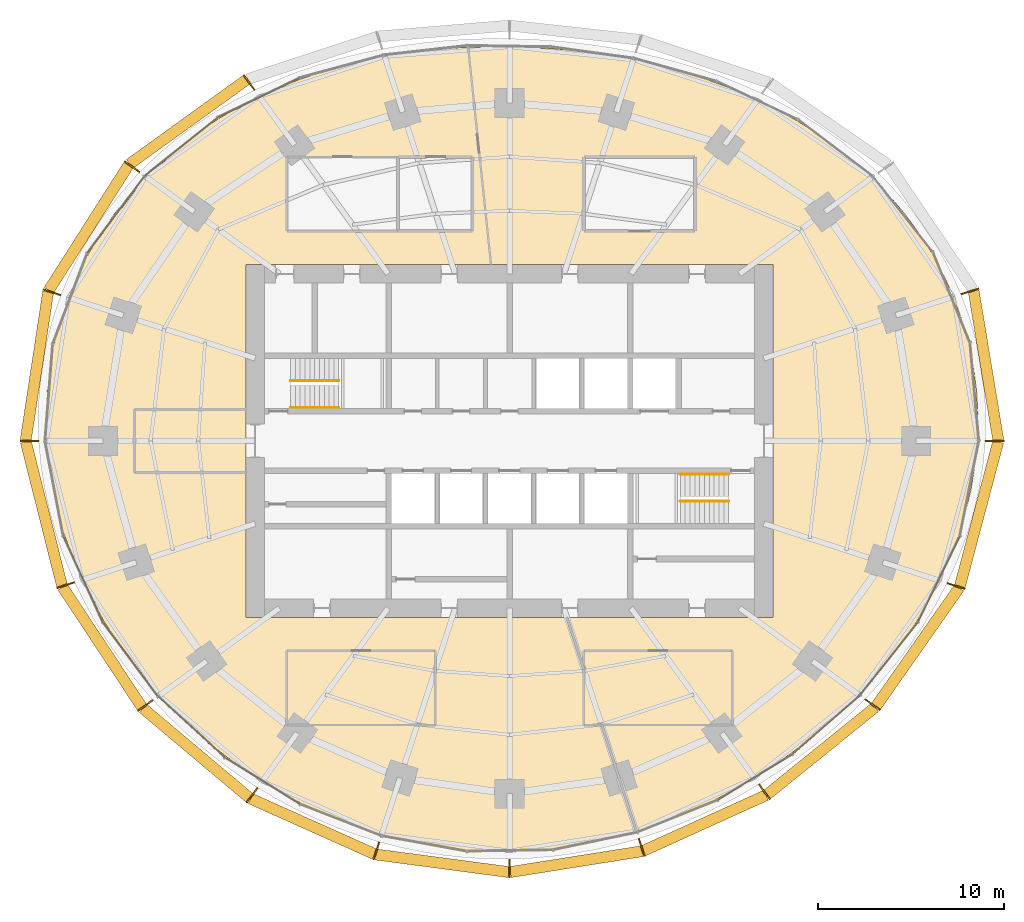
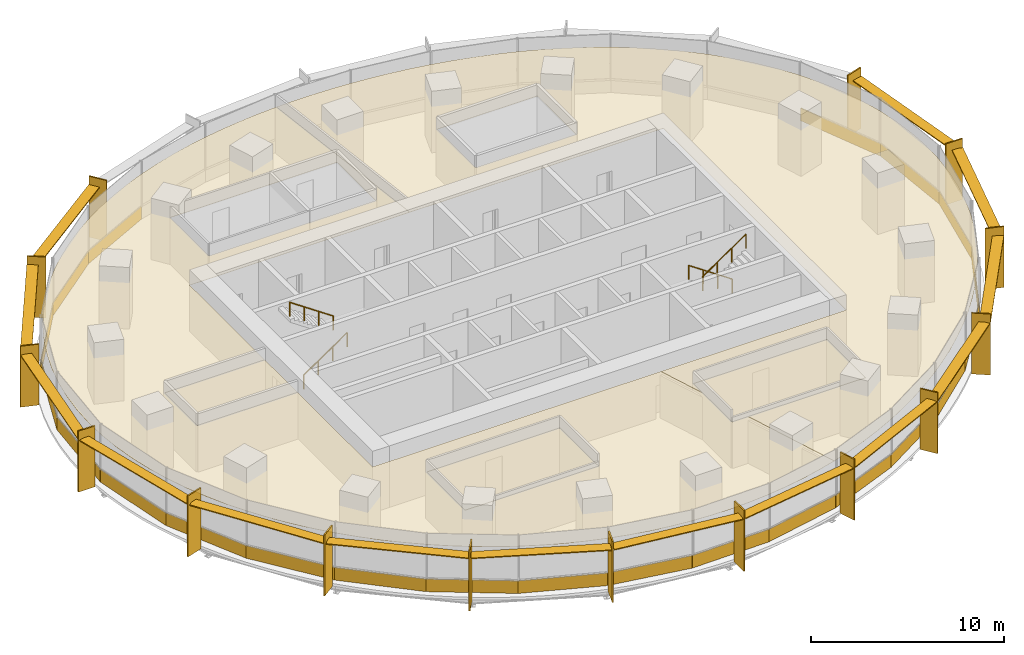
# One storey, part 13 of 14: 29 shading devices, 27 coverings, 4 railings.
"""IFC4 building model written with IfcOpenShell, lengths in metres."""

from ifc_helpers import new_model, si_unit, direction, frame, origin, origin_2d, place, context, subcontext, project, spatial, polyline, rectangle, circle, outline, extrude, material, layer, layer_set, type_object, element, save


model = new_model("IFC4")

# Units and contexts
model_context = context("Model", 3, precision=1e-05, world=origin(), true_north=direction((0.0, 1.0)))
body_context = subcontext(model_context, "Body", "Model", "MODEL_VIEW")
ifc_project = project(units=[si_unit("LENGTHUNIT", "METRE"), si_unit("AREAUNIT", "SQUARE_METRE"), si_unit("VOLUMEUNIT", "CUBIC_METRE"), si_unit("PLANEANGLEUNIT", "RADIAN"), si_unit("MASSUNIT", "GRAM", prefix="KILO")], contexts=[model_context])

# Site, building, storey
site_placement = place(None, origin())
site = spatial("IfcSite", under=ifc_project, at=site_placement, CompositionType="ELEMENT")
building_placement = place(site_placement, origin())
building = spatial("IfcBuilding", under=site, at=building_placement, Name="Marramba Exchange Tower", CompositionType="ELEMENT")
storey_placement = place(building_placement, frame((0.0, 0.0, 162.60009765625)))
storey = spatial("IfcBuildingStorey", under=building, at=storey_placement, Name="L39", CompositionType="ELEMENT", Elevation=162.60009765625)

# Shading devices
ifc_material_1 = material(Name="Aluminium blade, timber-look bronze finish", Category="wood")
ifc_layer_1 = layer(ifc_material_1, 0.080078125)
ifc_layer_set_1 = layer_set([ifc_layer_1], Name="Floor-edge blade 1000x80")
shading_device_type_1 = type_object("IfcShadingDeviceType", Name="Floor-edge blade 1000x80", PredefinedType="USERDEFINED", material=ifc_layer_set_1)
for number, where, z_axis, x_axis, name in (
    (1, (26.132080078125, 0.0, -0.16015625), (0.0, 0.0, 1.0), (1.0, 0.0, 0.0), "Floor-edge blade FB1 L39 TC01"),
    (2, (24.798583984375, 8.0576171875, -0.16015625), (0.0, 0.0, 1.0), (0.951056516295, 0.309016994375, 0.0), "Floor-edge blade FB1 L39 TC02"),
    (3, (-14.029296875, 19.3095703125, -0.16015625), (0.0, 0.0, 1.0), (-0.587785252292, 0.809016994375, 0.0), "Floor-edge blade FB1 L39 TC08"),
    (4, (-20.33642578125, 14.775390625, -0.16015625), (0.0, 0.0, 1.0), (-0.809016994375, 0.587785252292, 0.0), "Floor-edge blade FB1 L39 TC09"),
    (5, (-24.653076171875, 8.01025390625, -0.16015625), (0.0, 0.0, 1.0), (-0.951056516295, 0.309016994375, 0.0), "Floor-edge blade FB1 L39 TC10"),
    (6, (-25.867919921875, 0.0, -0.16015625), (0.0, 0.0, 1.0), (-1.0, 0.0, 0.0), "Floor-edge blade FB1 L39 TC11"),
    (7, (-23.90673828125, -7.767822265625, -0.16015625), (0.0, 0.0, 1.0), (-0.951056516295, -0.309016994375, 0.0), "Floor-edge blade FB1 L39 TC12"),
    (8, (-19.618408203125, -14.253662109375, -0.16015625), (0.0, 0.0, 1.0), (-0.809016994375, -0.587785252292, 0.0), "Floor-edge blade FB1 L39 TC13"),
    (9, (-13.866943359375, -19.08642578125, -0.16015625), (0.0, 0.0, 1.0), (-0.587785252292, -0.809016994375, 0.0), "Floor-edge blade FB1 L39 TC14"),
    (10, (-7.173828125, -22.078857421875, -0.16015625), (0.0, 0.0, 1.0), (-0.309016994375, -0.951056516295, 0.0), "Floor-edge blade FB1 L39 TC15"),
    (11, (0.0, -23.02685546875, -0.16015625), (0.0, 0.0, 1.0), (0.0, -1.0, 0.0), "Floor-edge blade FB1 L39 TC16"),
    (12, (7.115966796875, -21.900634765625, -0.16015625), (0.0, 0.0, 1.0), (0.309016994375, -0.951056516295, 0.0), "Floor-edge blade FB1 L39 TC17"),
    (13, (13.733154296875, -18.902099609375, -0.16015625), (0.0, 0.0, 1.0), (0.587785252292, -0.809016994375, 0.0), "Floor-edge blade FB1 L39 TC18"),
    (14, (19.555908203125, -14.208251953125, -0.16015625), (0.0, 0.0, 1.0), (0.809016994375, -0.587785252292, 0.0), "Floor-edge blade FB1 L39 TC19"),
    (15, (24.052001953125, -7.81494140625, -0.16015625), (0.0, 0.0, 1.0), (0.951056516295, -0.309016994375, 0.0), "Floor-edge blade FB1 L39 TC20"),
):
    element("IfcShadingDevice", number, at=place(storey_placement, frame(where, z_axis=z_axis, x_axis=x_axis)), inside=storey, type_object=shading_device_type_1, Name=name, ObjectType="FIN", PredefinedType="USERDEFINED", context=body_context, shape_type="SweptSolid", body=[
        extrude(rectangle(XDim=1.0, YDim=0.080078125, at=origin_2d()), origin(), (0.0, 0.0, 1.0), 3.860107421875),
    ])
ifc_material_2 = material(Name="Aluminium sunshade, bronze anodised", Category="aluminium")
ifc_layer_2 = layer(ifc_material_2, 0.06005859375)
ifc_layer_set_2 = layer_set([ifc_layer_2], Name="SUNSHADE blade 600x60")
shading_device_type_2 = type_object("IfcShadingDeviceType", Name="SUNSHADE blade 600x60", PredefinedType="USERDEFINED", material=ifc_layer_set_2)
shading_device_1_placement = place(storey_placement, frame((25.660400390625, 4.0595703125, 3.119873046875), z_axis=(0.0, 0.0, 1.0), x_axis=(-0.163227675764, 0.986588427798, 0.0)))
element("IfcShadingDevice", 16, at=shading_device_1_placement, inside=storey, type_object=shading_device_type_2, Name="Sunshade SS1 L39 bay 01", ObjectType="SUNSHADE", PredefinedType="USERDEFINED", context=body_context, shape_type="SweptSolid", body=[
    extrude(rectangle(XDim=8.149658203125, YDim=0.60009765625, at=origin_2d()), origin(), (0.0, 0.0, 1.0), 0.06005859375),
])
shading_device_2_placement = place(storey_placement, frame((-17.322509765625, 17.18212890625, 3.119873046875), z_axis=(0.0, 0.0, 1.0), x_axis=(-0.811199164202, -0.584769968448, 0.0)))
element("IfcShadingDevice", 17, at=shading_device_2_placement, inside=storey, type_object=shading_device_type_2, Name="Sunshade SS1 L39 bay 08", ObjectType="SUNSHADE", PredefinedType="USERDEFINED", context=body_context, shape_type="SweptSolid", body=[
    extrude(rectangle(XDim=7.749755859375, YDim=0.60009765625, at=origin_2d()), origin(), (0.0, 0.0, 1.0), 0.06005859375),
])
shading_device_3_placement = place(storey_placement, frame((-22.6708984375, 11.482421875, 3.119873046875), z_axis=(0.0, 0.0, 1.0), x_axis=(-0.537284770546, -0.843400898351, 0.0)))
element("IfcShadingDevice", 18, at=shading_device_3_placement, inside=storey, type_object=shading_device_type_2, Name="Sunshade SS1 L39 bay 09", ObjectType="SUNSHADE", PredefinedType="USERDEFINED", context=body_context, shape_type="SweptSolid", body=[
    extrude(rectangle(XDim=8.007080078125, YDim=0.60009765625, at=origin_2d()), origin(), (0.0, 0.0, 1.0), 0.06005859375),
])
shading_device_4_placement = place(storey_placement, frame((-25.455810546875, 4.0361328125, 3.119873046875), z_axis=(0.0, 0.0, 1.0), x_axis=(-0.14999307077, -0.988687047918, 0.0)))
element("IfcShadingDevice", 19, at=shading_device_4_placement, inside=storey, type_object=shading_device_type_2, Name="Sunshade SS1 L39 bay 10", ObjectType="SUNSHADE", PredefinedType="USERDEFINED", context=body_context, shape_type="SweptSolid", body=[
    extrude(rectangle(XDim=8.08447265625, YDim=0.60009765625, at=origin_2d()), origin(), (0.0, 0.0, 1.0), 0.06005859375),
])
shading_device_5_placement = place(storey_placement, frame((-25.08251953125, -3.914794921875, 3.119873046875), z_axis=(0.0, 0.0, 1.0), x_axis=(0.244116522902, -0.969745906537, 0.0)))
element("IfcShadingDevice", 20, at=shading_device_5_placement, inside=storey, type_object=shading_device_type_2, Name="Sunshade SS1 L39 bay 11", ObjectType="SUNSHADE", PredefinedType="USERDEFINED", context=body_context, shape_type="SweptSolid", body=[
    extrude(rectangle(XDim=7.993896484375, YDim=0.60009765625, at=origin_2d()), origin(), (0.0, 0.0, 1.0), 0.06005859375),
])
shading_device_6_placement = place(storey_placement, frame((-21.938720703125, -11.100341796875, 3.119873046875), z_axis=(0.0, 0.0, 1.0), x_axis=(0.550792342935, -0.834642315585, 0.0)))
element("IfcShadingDevice", 21, at=shading_device_6_placement, inside=storey, type_object=shading_device_type_2, Name="Sunshade SS1 L39 bay 12", ObjectType="SUNSHADE", PredefinedType="USERDEFINED", context=body_context, shape_type="SweptSolid", body=[
    extrude(rectangle(XDim=7.757568359375, YDim=0.60009765625, at=origin_2d()), origin(), (0.0, 0.0, 1.0), 0.06005859375),
])
shading_device_7_placement = place(storey_placement, frame((-16.88232421875, -16.8095703125, 3.119873046875), z_axis=(0.0, 0.0, 1.0), x_axis=(0.76513863304, -0.643865569998, 0.0)))
element("IfcShadingDevice", 22, at=shading_device_7_placement, inside=storey, type_object=shading_device_type_2, Name="Sunshade SS1 L39 bay 13", ObjectType="SUNSHADE", PredefinedType="USERDEFINED", context=body_context, shape_type="SweptSolid", body=[
    extrude(rectangle(XDim=7.49462890625, YDim=0.60009765625, at=origin_2d()), origin(), (0.0, 0.0, 1.0), 0.06005859375),
])
shading_device_8_placement = place(storey_placement, frame((-10.610107421875, -20.758544921875, 3.119873046875), z_axis=(0.0, 0.0, 1.0), x_axis=(0.912735880581, -0.408550134377, 0.0)))
element("IfcShadingDevice", 23, at=shading_device_8_placement, inside=storey, type_object=shading_device_type_2, Name="Sunshade SS1 L39 bay 14", ObjectType="SUNSHADE", PredefinedType="USERDEFINED", context=body_context, shape_type="SweptSolid", body=[
    extrude(rectangle(XDim=7.314208984375, YDim=0.60009765625, at=origin_2d()), origin(), (0.0, 0.0, 1.0), 0.06005859375),
])
shading_device_9_placement = place(storey_placement, frame((-3.617919921875, -22.748046875, 3.119873046875), z_axis=(0.0, 0.0, 1.0), x_axis=(0.991350478855, -0.131241106646, 0.0)))
element("IfcShadingDevice", 24, at=shading_device_9_placement, inside=storey, type_object=shading_device_type_2, Name="Sunshade SS1 L39 bay 15", ObjectType="SUNSHADE", PredefinedType="USERDEFINED", context=body_context, shape_type="SweptSolid", body=[
    extrude(rectangle(XDim=7.21875, YDim=0.60009765625, at=origin_2d()), origin(), (0.0, 0.0, 1.0), 0.06005859375),
])
shading_device_10_placement = place(storey_placement, frame((3.5888671875, -22.658935546875, 3.119873046875), z_axis=(0.0, 0.0, 1.0), x_axis=(0.987704817912, 0.15633039587, 0.0)))
element("IfcShadingDevice", 25, at=shading_device_10_placement, inside=storey, type_object=shading_device_type_2, Name="Sunshade SS1 L39 bay 16", ObjectType="SUNSHADE", PredefinedType="USERDEFINED", context=body_context, shape_type="SweptSolid", body=[
    extrude(rectangle(XDim=7.18701171875, YDim=0.60009765625, at=origin_2d()), origin(), (0.0, 0.0, 1.0), 0.06005859375),
])
shading_device_11_placement = place(storey_placement, frame((10.514404296875, -20.577392578125, 3.119873046875), z_axis=(0.0, 0.0, 1.0), x_axis=(0.910692240548, 0.413085515366, 0.0)))
element("IfcShadingDevice", 26, at=shading_device_11_placement, inside=storey, type_object=shading_device_type_2, Name="Sunshade SS1 L39 bay 17", ObjectType="SUNSHADE", PredefinedType="USERDEFINED", context=body_context, shape_type="SweptSolid", body=[
    extrude(rectangle(XDim=7.24755859375, YDim=0.60009765625, at=origin_2d()), origin(), (0.0, 0.0, 1.0), 0.06005859375),
])
shading_device_12_placement = place(storey_placement, frame((16.7841796875, -16.69482421875, 3.119873046875), z_axis=(0.0, 0.0, 1.0), x_axis=(0.777962439436, 0.628310785223, 0.0)))
element("IfcShadingDevice", 27, at=shading_device_12_placement, inside=storey, type_object=shading_device_type_2, Name="Sunshade SS1 L39 bay 18", ObjectType="SUNSHADE", PredefinedType="USERDEFINED", context=body_context, shape_type="SweptSolid", body=[
    extrude(rectangle(XDim=7.46142578125, YDim=0.60009765625, at=origin_2d()), origin(), (0.0, 0.0, 1.0), 0.06005859375),
])
shading_device_13_placement = place(storey_placement, frame((21.97998046875, -11.101318359375, 3.119873046875), z_axis=(0.0, 0.0, 1.0), x_axis=(0.574350885858, 0.818609222959, 0.0)))
element("IfcShadingDevice", 28, at=shading_device_13_placement, inside=storey, type_object=shading_device_type_2, Name="Sunshade SS1 L39 bay 19", ObjectType="SUNSHADE", PredefinedType="USERDEFINED", context=body_context, shape_type="SweptSolid", body=[
    extrude(rectangle(XDim=7.7978515625, YDim=0.60009765625, at=origin_2d()), origin(), (0.0, 0.0, 1.0), 0.06005859375),
])
shading_device_14_placement = place(storey_placement, frame((25.287109375, -3.9384765625, 3.119873046875), z_axis=(0.0, 0.0, 1.0), x_axis=(0.256422950151, 0.966564674833, 0.0)))
element("IfcShadingDevice", 29, at=shading_device_14_placement, inside=storey, type_object=shading_device_type_2, Name="Sunshade SS1 L39 bay 20", ObjectType="SUNSHADE", PredefinedType="USERDEFINED", context=body_context, shape_type="SweptSolid", body=[
    extrude(rectangle(XDim=8.0693359375, YDim=0.60009765625, at=origin_2d()), origin(), (0.0, 0.0, 1.0), 0.06005859375),
])

# Coverings
ifc_material_3 = material(Name="Aluminium spandrel panel, bronze anodised, insulated", Category="aluminium")
ifc_layer_3 = layer(ifc_material_3, 0.050048828125)
ifc_layer_set_3 = layer_set([ifc_layer_3], Name="Spandrel panel 800")
covering_type_1 = type_object("IfcCoveringType", Name="Spandrel panel 800", PredefinedType="CLADDING", material=ifc_layer_set_3)
covering_1_placement = place(storey_placement, frame((25.04541015625, 2.63671875, 0.0), z_axis=(0.0, 0.0, 1.0), x_axis=(-0.089412890131, 0.995994646109, 0.0)))
element("IfcCovering", 30, at=covering_1_placement, inside=storey, type_object=covering_type_1, Name="Spandrel panel SP1 L39 F01", PredefinedType="CLADDING", context=body_context, shape_type="SweptSolid", body=[
    extrude(rectangle(XDim=5.29443359375, YDim=0.050048828125, at=origin_2d()), origin(), (0.0, 0.0, 1.0), 0.800048828125),
])
covering_2_placement = place(storey_placement, frame((23.81201171875, 7.715576171875, 0.0), z_axis=(0.0, 0.0, 1.0), x_axis=(-0.377821185272, 0.925878583811, 0.0)))
element("IfcCovering", 31, at=covering_2_placement, inside=storey, type_object=covering_type_1, Name="Spandrel panel SP1 L39 F02", PredefinedType="CLADDING", context=body_context, shape_type="SweptSolid", body=[
    extrude(rectangle(XDim=5.27587890625, YDim=0.050048828125, at=origin_2d()), origin(), (0.0, 0.0, 1.0), 0.800048828125),
])
covering_3_placement = place(storey_placement, frame((-13.49609375, 18.498291015625, 0.0), z_axis=(0.0, 0.0, 1.0), x_axis=(-0.900223736484, -0.435427633794, 0.0)))
element("IfcCovering", 32, at=covering_3_placement, inside=storey, type_object=covering_type_1, Name="Spandrel panel SP1 L39 F11", PredefinedType="CLADDING", context=body_context, shape_type="SweptSolid", body=[
    extrude(rectangle(XDim=4.890625, YDim=0.050048828125, at=origin_2d()), origin(), (0.0, 0.0, 1.0), 0.800048828125),
])
covering_4_placement = place(storey_placement, frame((-17.673095703125, 15.854736328125, 0.0), z_axis=(0.0, 0.0, 1.0), x_axis=(-0.781178328369, -0.624307952285, 0.0)))
element("IfcCovering", 33, at=covering_4_placement, inside=storey, type_object=covering_type_1, Name="Spandrel panel SP1 L39 F12", PredefinedType="CLADDING", context=body_context, shape_type="SweptSolid", body=[
    extrude(rectangle(XDim=5.058349609375, YDim=0.050048828125, at=origin_2d()), origin(), (0.0, 0.0, 1.0), 0.800048828125),
])
covering_5_placement = place(storey_placement, frame((-21.19580078125, 12.20068359375, 0.0), z_axis=(0.0, 0.0, 1.0), x_axis=(-0.597703998161, -0.801716864349, 0.0)))
element("IfcCovering", 34, at=covering_5_placement, inside=storey, type_object=covering_type_1, Name="Spandrel panel SP1 L39 F13", PredefinedType="CLADDING", context=body_context, shape_type="SweptSolid", body=[
    extrude(rectangle(XDim=5.17626953125, YDim=0.050048828125, at=origin_2d()), origin(), (0.0, 0.0, 1.0), 0.800048828125),
])
covering_6_placement = place(storey_placement, frame((-23.671875, 7.677490234375, 0.0), z_axis=(0.0, 0.0, 1.0), x_axis=(-0.354844476365, -0.934925343326, 0.0)))
element("IfcCovering", 35, at=covering_6_placement, inside=storey, type_object=covering_type_1, Name="Spandrel panel SP1 L39 F14", PredefinedType="CLADDING", context=body_context, shape_type="SweptSolid", body=[
    extrude(rectangle(XDim=5.2373046875, YDim=0.050048828125, at=origin_2d()), origin(), (0.0, 0.0, 1.0), 0.800048828125),
])
covering_7_placement = place(storey_placement, frame((-24.8095703125, 2.614501953125, 0.0), z_axis=(0.0, 0.0, 1.0), x_axis=(-0.079459700697, -0.996838079111, 0.0)))
element("IfcCovering", 36, at=covering_7_placement, inside=storey, type_object=covering_type_1, Name="Spandrel panel SP1 L39 F15", PredefinedType="CLADDING", context=body_context, shape_type="SweptSolid", body=[
    extrude(rectangle(XDim=5.245849609375, YDim=0.050048828125, at=origin_2d()), origin(), (0.0, 0.0, 1.0), 0.800048828125),
])
covering_8_placement = place(storey_placement, frame((-24.5283203125, -2.5546875, 0.0), z_axis=(0.0, 0.0, 1.0), x_axis=(0.188227222909, -0.982125507538, 0.0)))
element("IfcCovering", 37, at=covering_8_placement, inside=storey, type_object=covering_type_1, Name="Spandrel panel SP1 L39 F16", PredefinedType="CLADDING", context=body_context, shape_type="SweptSolid", body=[
    extrude(rectangle(XDim=5.20263671875, YDim=0.050048828125, at=origin_2d()), origin(), (0.0, 0.0, 1.0), 0.800048828125),
])
covering_9_placement = place(storey_placement, frame((-22.973876953125, -7.43212890625, 0.0), z_axis=(0.0, 0.0, 1.0), x_axis=(0.416737850896, -0.909026712275, 0.0)))
element("IfcCovering", 38, at=covering_9_placement, inside=storey, type_object=covering_type_1, Name="Spandrel panel SP1 L39 F17", PredefinedType="CLADDING", context=body_context, shape_type="SweptSolid", body=[
    extrude(rectangle(XDim=5.10986328125, YDim=0.050048828125, at=origin_2d()), origin(), (0.0, 0.0, 1.0), 0.800048828125),
])
covering_10_placement = place(storey_placement, frame((-20.419921875, -11.75439453125, 0.0), z_axis=(0.0, 0.0, 1.0), x_axis=(0.597304701232, -0.802014397555, 0.0)))
element("IfcCovering", 39, at=covering_10_placement, inside=storey, type_object=covering_type_1, Name="Spandrel panel SP1 L39 F18", PredefinedType="CLADDING", context=body_context, shape_type="SweptSolid", body=[
    extrude(rectangle(XDim=4.986572265625, YDim=0.050048828125, at=origin_2d()), origin(), (0.0, 0.0, 1.0), 0.800048828125),
])
covering_11_placement = place(storey_placement, frame((-17.135986328125, -15.39599609375, 0.0), z_axis=(0.0, 0.0, 1.0), x_axis=(0.737821889246, -0.674995451651, 0.0)))
element("IfcCovering", 40, at=covering_11_placement, inside=storey, type_object=covering_type_1, Name="Spandrel panel SP1 L39 F19", PredefinedType="CLADDING", context=body_context, shape_type="SweptSolid", body=[
    extrude(rectangle(XDim=4.865234375, YDim=0.050048828125, at=origin_2d()), origin(), (0.0, 0.0, 1.0), 0.800048828125),
])
covering_12_placement = place(storey_placement, frame((-13.31787109375, -18.300537109375, 0.0), z_axis=(0.0, 0.0, 1.0), x_axis=(0.848354599309, -0.529428440708, 0.0)))
element("IfcCovering", 41, at=covering_12_placement, inside=storey, type_object=covering_type_1, Name="Spandrel panel SP1 L39 F20", PredefinedType="CLADDING", context=body_context, shape_type="SweptSolid", body=[
    extrude(rectangle(XDim=4.76953125, YDim=0.050048828125, at=origin_2d()), origin(), (0.0, 0.0, 1.0), 0.800048828125),
])
covering_13_placement = place(storey_placement, frame((-9.10302734375, -20.416748046875, 0.0), z_axis=(0.0, 0.0, 1.0), x_axis=(0.931818387481, -0.362924913381, 0.0)))
element("IfcCovering", 42, at=covering_13_placement, inside=storey, type_object=covering_type_1, Name="Spandrel panel SP1 L39 F21", PredefinedType="CLADDING", context=body_context, shape_type="SweptSolid", body=[
    extrude(rectangle(XDim=4.704345703125, YDim=0.050048828125, at=origin_2d()), origin(), (0.0, 0.0, 1.0), 0.800048828125),
])
covering_14_placement = place(storey_placement, frame((-4.616943359375, -21.685302734375, 0.0), z_axis=(0.0, 0.0, 1.0), x_axis=(0.984031866928, -0.177992373069, 0.0)))
element("IfcCovering", 43, at=covering_14_placement, inside=storey, type_object=covering_type_1, Name="Spandrel panel SP1 L39 F22", PredefinedType="CLADDING", context=body_context, shape_type="SweptSolid", body=[
    extrude(rectangle(XDim=4.662841796875, YDim=0.050048828125, at=origin_2d()), origin(), (0.0, 0.0, 1.0), 0.800048828125),
])
covering_15_placement = place(storey_placement, frame((-0.003662109375, -22.065185546875, 0.0), z_axis=(0.0, 0.0, 1.0), x_axis=(0.999884797651, 0.015178650325, 0.0)))
element("IfcCovering", 44, at=covering_15_placement, inside=storey, type_object=covering_type_1, Name="Spandrel panel SP1 L39 F23", PredefinedType="CLADDING", context=body_context, shape_type="SweptSolid", body=[
    extrude(rectangle(XDim=4.638916015625, YDim=0.050048828125, at=origin_2d()), origin(), (0.0, 0.0, 1.0), 0.800048828125),
])
covering_16_placement = place(storey_placement, frame((4.58447265625, -21.56103515625, 0.0), z_axis=(0.0, 0.0, 1.0), x_axis=(0.979310200528, 0.202364846604, 0.0)))
element("IfcCovering", 45, at=covering_16_placement, inside=storey, type_object=covering_type_1, Name="Spandrel panel SP1 L39 F24", PredefinedType="CLADDING", context=body_context, shape_type="SweptSolid", body=[
    extrude(rectangle(XDim=4.6337890625, YDim=0.050048828125, at=origin_2d()), origin(), (0.0, 0.0, 1.0), 0.800048828125),
])
covering_17_placement = place(storey_placement, frame((9.014892578125, -20.225341796875, 0.0), z_axis=(0.0, 0.0, 1.0), x_axis=(0.928148914987, 0.372209069755, 0.0)))
element("IfcCovering", 46, at=covering_17_placement, inside=storey, type_object=covering_type_1, Name="Spandrel panel SP1 L39 F25", PredefinedType="CLADDING", context=body_context, shape_type="SweptSolid", body=[
    extrude(rectangle(XDim=4.657958984375, YDim=0.050048828125, at=origin_2d()), origin(), (0.0, 0.0, 1.0), 0.800048828125),
])
covering_18_placement = place(storey_placement, frame((13.193115234375, -18.125244140625, 0.0), z_axis=(0.0, 0.0, 1.0), x_axis=(0.853109118827, 0.521732528576, 0.0)))
element("IfcCovering", 47, at=covering_18_placement, inside=storey, type_object=covering_type_1, Name="Spandrel panel SP1 L39 F26", PredefinedType="CLADDING", context=body_context, shape_type="SweptSolid", body=[
    extrude(rectangle(XDim=4.7275390625, YDim=0.050048828125, at=origin_2d()), origin(), (0.0, 0.0, 1.0), 0.800048828125),
])
covering_19_placement = place(storey_placement, frame((17.038818359375, -15.30029296875, 0.0), z_axis=(0.0, 0.0, 1.0), x_axis=(0.754385510875, 0.656431642277, 0.0)))
element("IfcCovering", 48, at=covering_19_placement, inside=storey, type_object=covering_type_1, Name="Spandrel panel SP1 L39 F27", PredefinedType="CLADDING", context=body_context, shape_type="SweptSolid", body=[
    extrude(rectangle(XDim=4.849609375, YDim=0.050048828125, at=origin_2d()), origin(), (0.0, 0.0, 1.0), 0.800048828125),
])
covering_20_placement = place(storey_placement, frame((20.425048828125, -11.747802734375, 0.0), z_axis=(0.0, 0.0, 1.0), x_axis=(0.621807470279, 0.783170141097, 0.0)))
element("IfcCovering", 49, at=covering_20_placement, inside=storey, type_object=covering_type_1, Name="Spandrel panel SP1 L39 F28", PredefinedType="CLADDING", context=body_context, shape_type="SweptSolid", body=[
    extrude(rectangle(XDim=5.00732421875, YDim=0.050048828125, at=origin_2d()), origin(), (0.0, 0.0, 1.0), 0.800048828125),
])
covering_21_placement = place(storey_placement, frame((23.114013671875, -7.47021484375, 0.0), z_axis=(0.0, 0.0, 1.0), x_axis=(0.439086346903, 0.898444867515, 0.0)))
element("IfcCovering", 50, at=covering_21_placement, inside=storey, type_object=covering_type_1, Name="Spandrel panel SP1 L39 F29", PredefinedType="CLADDING", context=body_context, shape_type="SweptSolid", body=[
    extrude(rectangle(XDim=5.156982421875, YDim=0.050048828125, at=origin_2d()), origin(), (0.0, 0.0, 1.0), 0.800048828125),
])
covering_22_placement = place(storey_placement, frame((24.76416015625, -2.576904296875, 0.0), z_axis=(0.0, 0.0, 1.0), x_axis=(0.197048514193, 0.980393738788, 0.0)))
element("IfcCovering", 51, at=covering_22_placement, inside=storey, type_object=covering_type_1, Name="Spandrel panel SP1 L39 F30", PredefinedType="CLADDING", context=body_context, shape_type="SweptSolid", body=[
    extrude(rectangle(XDim=5.2568359375, YDim=0.050048828125, at=origin_2d()), origin(), (0.0, 0.0, 1.0), 0.800048828125),
])

# Railings
ifc_material_4 = material(Name="Stainless steel handrail", Category="steel")
railing_type = type_object("IfcRailingType", Name="Stair handrail 900", PredefinedType="HANDRAIL", material=ifc_material_4)
railing_1_placement = place(storey_placement, frame((-11.800048828125, 1.800048828125, 0.17724609375)))
element("IfcRailing", 52, at=railing_1_placement, inside=storey, type_object=railing_type, Name="Handrail HR1 ST1 L39 flight 1", PredefinedType="HANDRAIL", context=body_context, shape_type="SweptSolid", body=[
    extrude(circle(Radius=0.02392578125, at=origin_2d()), frame((0.0, 0.0, 0.8759765625), z_axis=(0.826240473404, 0.0, 0.563317565952), x_axis=(0.0, 1.0, 0.0)), (0.0, 0.0, 1.0), 3.14697265625),
    extrude(circle(Radius=0.02099609375, at=origin_2d()), origin(), (0.0, 0.0, 1.0), 0.851806640625),
    extrude(circle(Radius=0.02099609375, at=origin_2d()), frame((0.86669921875, 0.0, 0.5908203125)), (0.0, 0.0, 1.0), 0.851806640625),
    extrude(circle(Radius=0.02099609375, at=origin_2d()), frame((1.7333984375, 0.0, 1.181884765625)), (0.0, 0.0, 1.0), 0.851806640625),
    extrude(circle(Radius=0.02099609375, at=origin_2d()), frame((2.60009765625, 0.0, 1.772705078125)), (0.0, 0.0, 1.0), 0.851806640625),
])
for number, where, name in (
    (53, (-9.199951171875, 3.25, 2.127197265625), "Handrail HR1 ST1 L39 flight 2"),
    (54, (11.800048828125, -1.800048828125, 0.17724609375), "Handrail HR1 ST2 L39 flight 1"),
):
    element("IfcRailing", number, at=place(storey_placement, frame(where)), inside=storey, type_object=railing_type, Name=name, PredefinedType="HANDRAIL", context=body_context, shape_type="SweptSolid", body=[
        extrude(circle(Radius=0.02392578125, at=origin_2d()), frame((0.0, 0.0, 0.8759765625), z_axis=(-0.826240473404, 0.0, 0.563317565952), x_axis=(0.0, -1.0, 0.0)), (0.0, 0.0, 1.0), 3.14697265625),
        extrude(circle(Radius=0.02099609375, at=origin_2d()), origin(), (0.0, 0.0, 1.0), 0.851806640625),
        extrude(circle(Radius=0.02099609375, at=origin_2d()), frame((-0.86669921875, 0.0, 0.5908203125)), (0.0, 0.0, 1.0), 0.851806640625),
        extrude(circle(Radius=0.02099609375, at=origin_2d()), frame((-1.7333984375, 0.0, 1.181884765625)), (0.0, 0.0, 1.0), 0.851806640625),
        extrude(circle(Radius=0.02099609375, at=origin_2d()), frame((-2.60009765625, 0.0, 1.772705078125)), (0.0, 0.0, 1.0), 0.851806640625),
    ])
railing_2_placement = place(storey_placement, frame((9.199951171875, -3.25, 2.127197265625)))
element("IfcRailing", 55, at=railing_2_placement, inside=storey, type_object=railing_type, Name="Handrail HR1 ST2 L39 flight 2", PredefinedType="HANDRAIL", context=body_context, shape_type="SweptSolid", body=[
    extrude(circle(Radius=0.02392578125, at=origin_2d()), frame((0.0, 0.0, 0.8759765625), z_axis=(0.826240473404, 0.0, 0.563317565952), x_axis=(0.0, 1.0, 0.0)), (0.0, 0.0, 1.0), 3.14697265625),
    extrude(circle(Radius=0.02099609375, at=origin_2d()), origin(), (0.0, 0.0, 1.0), 0.851806640625),
    extrude(circle(Radius=0.02099609375, at=origin_2d()), frame((0.86669921875, 0.0, 0.5908203125)), (0.0, 0.0, 1.0), 0.851806640625),
    extrude(circle(Radius=0.02099609375, at=origin_2d()), frame((1.7333984375, 0.0, 1.181884765625)), (0.0, 0.0, 1.0), 0.851806640625),
    extrude(circle(Radius=0.02099609375, at=origin_2d()), frame((2.60009765625, 0.0, 1.772705078125)), (0.0, 0.0, 1.0), 0.851806640625),
])

# Coverings
ifc_material_5 = material(Name="Mineral fibre ceiling tiles", Category="gypsum")
ifc_layer_4 = layer(ifc_material_5, 0.02001953125)
ifc_layer_set_4 = layer_set([ifc_layer_4], Name="Suspended ceiling 20")
covering_type_2 = type_object("IfcCoveringType", Name="Suspended ceiling 20", PredefinedType="CEILING", material=ifc_layer_set_4)
covering_23_placement = place(storey_placement, frame((0.0, 0.0, 2.89990234375)))
element("IfcCovering", 56, at=covering_23_placement, inside=storey, type_object=covering_type_2, Name="Ceiling CL1 L39 Staff Lounge", PredefinedType="CEILING", context=body_context, shape_type="SweptSolid", body=[
    extrude(outline(polyline([(-14.199951171875, 1.699951171875), (-20.199951171875, 1.699951171875), (-20.199951171875, -1.699951171875), (-14.199951171875, -1.699951171875), (-14.199951171875, -9.5), (3.086669921875, -9.5), (4.0, -12.310791015625), (4.0, -15.300048828125), (4.97119140625, -15.300048828125), (6.82861328125, -21.01611328125), (5.714599609375, -21.3271484375), (4.58837890625, -21.587158203125), (3.4521484375, -21.79541015625), (2.30712890625, -21.950439453125), (1.15576171875, -22.05126953125), (0.0, -22.096923828125), (-1.157470703125, -22.0869140625), (-2.314453125, -22.020751953125), (-3.468505859375, -21.898193359375), (-4.61669921875, -21.719482421875), (-5.7568359375, -21.484619140625), (-6.886474609375, -21.1943359375), (-8.00341796875, -20.84912109375), (-9.10498046875, -20.4501953125), (-10.189453125, -19.997802734375), (-11.2548828125, -19.493896484375), (-12.299072265625, -18.938720703125), (-13.3203125, -18.333984375), (-14.317138671875, -17.68017578125), (-15.28759765625, -16.978515625), (-16.229736328125, -16.229736328125), (-17.1416015625, -15.434326171875), (-18.021240234375, -14.59326171875), (-18.865966796875, -13.706787109375), (-19.673095703125, -12.77587890625), (-20.439697265625, -11.80078125), (-21.162109375, -10.78271484375), (-21.836181640625, -9.72216796875), (-22.457763671875, -8.62060546875), (-23.022216796875, -7.48046875), (-23.52490234375, -6.303466796875), (-23.96044921875, -5.093017578125), (-24.32421875, -3.8525390625), (-24.611083984375, -2.586669921875), (-24.81689453125, -1.300537109375), (-24.93798828125, 0.0), (-24.970947265625, 1.30859375), (-24.913330078125, 2.618408203125), (-24.76416015625, 3.92236328125), (-24.52294921875, 5.21240234375), (-24.1904296875, 6.481689453125), (-23.768798828125, 7.722900390625), (-23.260498046875, 8.928955078125), (-22.669677734375, 10.09326171875), (-22.0009765625, 11.2099609375), (-21.259765625, 12.2744140625), (-20.451904296875, 13.28173828125), (-19.583984375, 14.228759765625), (-18.66259765625, 15.11279296875), (-17.6943359375, 15.93212890625), (-16.685791015625, 16.685791015625), (-15.643798828125, 17.374267578125), (-14.57421875, 17.99755859375), (-13.482666015625, 18.55712890625), (-12.37451171875, 19.05517578125), (-11.2548828125, 19.493896484375), (-10.127197265625, 19.875732421875), (-8.995361328125, 20.203857421875), (-7.862060546875, 20.4814453125), (-6.7294921875, 20.711181640625), (-5.59912109375, 20.896484375), (-4.47216796875, 21.0400390625), (-3.34912109375, 21.14453125), (-2.2294921875, 21.212158203125), (-0.99853515625, 9.5), (-14.199951171875, 9.5), (-14.199951171875, 1.699951171875)]), holes=[polyline([(-12.0, 11.300048828125), (-6.0, 11.300048828125), (-2.0, 11.300048828125), (-2.0, 15.300048828125), (-6.0, 15.300048828125), (-12.0, 15.300048828125), (-12.0, 11.300048828125)]), polyline([(-12.0, -15.300048828125), (-4.0, -15.300048828125), (-4.0, -11.300048828125), (-12.0, -11.300048828125), (-12.0, -15.300048828125)])]), origin(), (0.0, 0.0, 1.0), 0.02001953125),
])
covering_24_placement = place(storey_placement, frame((0.0, 0.0, 2.89990234375)))
element("IfcCovering", 57, at=covering_24_placement, inside=storey, type_object=covering_type_2, Name="Ceiling CL1 L39 Quiet Lounge", PredefinedType="CEILING", context=body_context, shape_type="SweptSolid", body=[
    extrude(outline(polyline([(14.199951171875, 9.5), (-0.99853515625, 9.5), (-2.2294921875, 21.212158203125), (-1.11328125, 21.244384765625), (0.0, 21.2431640625), (1.111572265625, 21.208740234375), (2.22216796875, 21.1416015625), (3.332763671875, 21.041748046875), (4.444091796875, 20.907958984375), (5.556884765625, 20.739013671875), (6.671630859375, 20.533203125), (7.787841796875, 20.287841796875), (8.905029296875, 20.0009765625), (10.02197265625, 19.6689453125), (11.13671875, 19.289306640625), (12.24658203125, 18.8583984375), (13.348876953125, 18.373046875), (14.43896484375, 17.830810546875), (15.512451171875, 17.228271484375), (16.563720703125, 16.563720703125), (17.5869140625, 15.835205078125), (18.5751953125, 15.041748046875), (19.521484375, 14.18310546875), (20.4189453125, 13.26025390625), (21.259765625, 12.2744140625), (22.03662109375, 11.228271484375), (22.7421875, 10.12548828125), (23.3701171875, 8.970947265625), (23.9140625, 7.77001953125), (24.368896484375, 6.529541015625), (24.73046875, 5.256591796875), (24.99560546875, 3.958984375), (25.16259765625, 2.644775390625), (25.231201171875, 1.322265625), (25.201904296875, 0.0), (25.077392578125, -1.314208984375), (24.8603515625, -2.61279296875), (24.555419921875, -3.88916015625), (24.16796875, -5.136962890625), (23.703125, -6.351318359375), (23.16748046875, -7.527587890625), (22.5673828125, -8.662841796875), (21.90869140625, -9.75439453125), (21.197509765625, -10.80078125), (20.439697265625, -11.80078125), (19.64013671875, -12.75439453125), (18.803466796875, -13.66162109375), (17.93359375, -14.5224609375), (17.033935546875, -15.33740234375), (16.107421875, -16.107421875), (15.156005859375, -16.83251953125), (14.181884765625, -17.51318359375), (13.1865234375, -18.14990234375), (12.171142578125, -18.741943359375), (11.13671875, -19.289306640625), (10.083984375, -19.791259765625), (9.0146484375, -20.2470703125), (7.928955078125, -20.65576171875), (6.82861328125, -21.01611328125), (5.4091796875, -16.648193359375), (4.97119140625, -15.300048828125), (12.0, -15.300048828125), (12.0, -11.300048828125), (4.0, -11.300048828125), (4.0, -12.310791015625), (3.086669921875, -9.5), (14.199951171875, -9.5), (14.199951171875, 9.5)]), holes=[polyline([(10.0, 11.300048828125), (10.0, 15.300048828125), (4.0, 15.300048828125), (4.0, 11.300048828125), (10.0, 11.300048828125)])]), origin(), (0.0, 0.0, 1.0), 0.02001953125),
])
covering_25_placement = place(storey_placement, frame((0.0, 0.0, 2.89990234375)))
element("IfcCovering", 58, at=covering_25_placement, inside=storey, type_object=covering_type_2, Name="Ceiling CL1 L39 Corridor", PredefinedType="CEILING", context=body_context, shape_type="SweptSolid", body=[
    extrude(outline(polyline([(-20.199951171875, 1.699951171875), (-14.199951171875, 1.699951171875), (-14.199951171875, -1.699951171875), (-20.199951171875, -1.699951171875), (-20.199951171875, 1.699951171875)])), origin(), (0.0, 0.0, 1.0), 0.02001953125),
])
covering_26_placement = place(storey_placement, frame((0.0, 0.0, 2.89990234375)))
element("IfcCovering", 59, at=covering_26_placement, inside=storey, type_object=covering_type_2, Name="Ceiling CL1 L39 Locker Room", PredefinedType="CEILING", context=body_context, shape_type="SweptSolid", body=[
    extrude(outline(polyline([(-4.0, -15.300048828125), (-12.0, -15.300048828125), (-12.0, -11.300048828125), (-4.0, -11.300048828125), (-4.0, -15.300048828125)])), origin(), (0.0, 0.0, 1.0), 0.02001953125),
])
covering_27_placement = place(storey_placement, frame((0.0, 0.0, 2.89990234375)))
element("IfcCovering", 60, at=covering_27_placement, inside=storey, type_object=covering_type_2, Name="Ceiling CL1 L39 Pantry", PredefinedType="CEILING", context=body_context, shape_type="SweptSolid", body=[
    extrude(outline(polyline([(12.0, -11.300048828125), (12.0, -15.300048828125), (4.0, -15.300048828125), (4.0, -11.300048828125), (12.0, -11.300048828125)])), origin(), (0.0, 0.0, 1.0), 0.02001953125),
])

save(model, "model.ifc")
